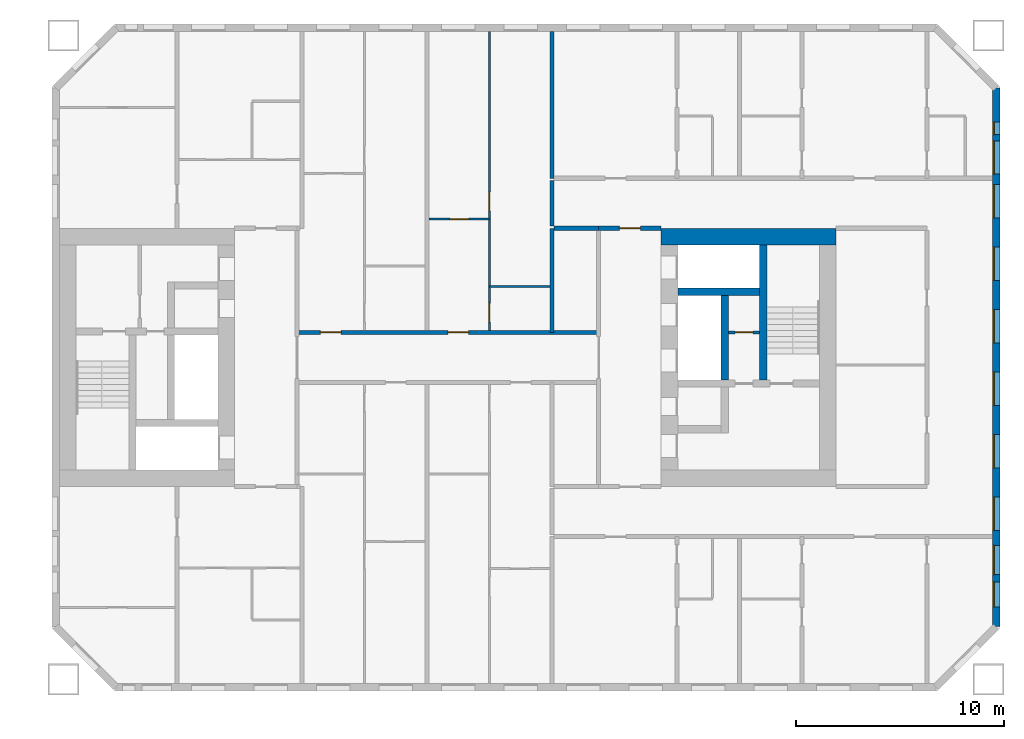
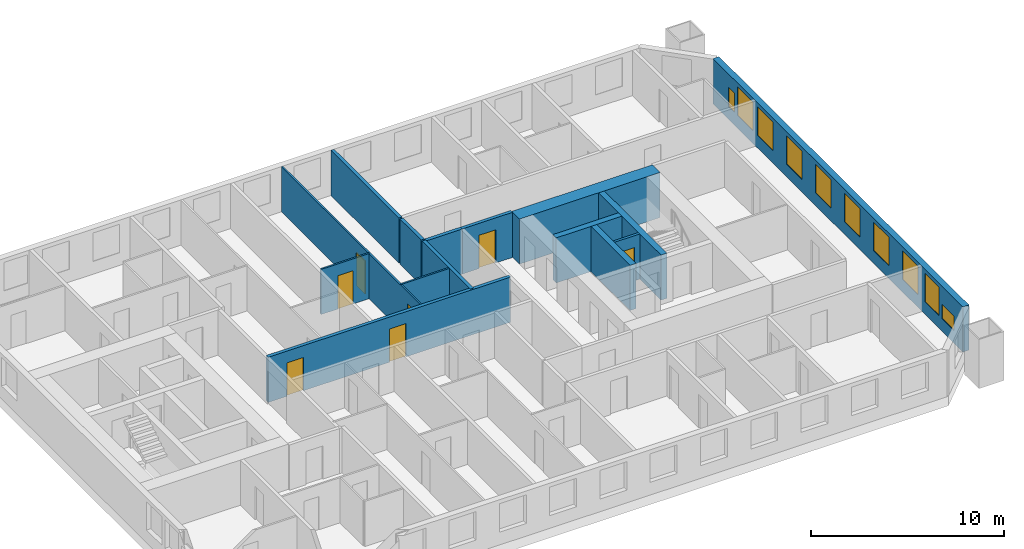
# One storey, part 13 of 17: 15 walls, 10 windows, 7 doors, 17 openings.
"""IFC4 building model written with IfcOpenShell, lengths in metres."""

from ifc_helpers import new_model, si_unit, direction, frame, frame_2d, origin, place, context, subcontext, project, spatial, rectangle, extrude, material, layer, layer_set, type_object, element, fill, save


model = new_model("IFC4")

# Units and contexts
model_context = context("Model", 3, precision=1e-05, world=origin(), true_north=direction((0.0, 1.0)))
body_context = subcontext(model_context, "Body", "Model", "MODEL_VIEW")
ifc_project = project(units=[si_unit("LENGTHUNIT", "METRE"), si_unit("AREAUNIT", "SQUARE_METRE"), si_unit("VOLUMEUNIT", "CUBIC_METRE"), si_unit("PLANEANGLEUNIT", "RADIAN"), si_unit("MASSUNIT", "GRAM", prefix="KILO")], contexts=[model_context])

# Site, building, storey
site_placement = place(None, origin())
site = spatial("IfcSite", under=ifc_project, at=site_placement, CompositionType="ELEMENT")
building_placement = place(site_placement, origin())
building = spatial("IfcBuilding", under=site, at=building_placement, Name="Tuart Gate Housing", CompositionType="ELEMENT")
storey_placement = place(building_placement, frame((0.0, 0.0, 44.300048828125)))
storey = spatial("IfcBuildingStorey", under=building, at=storey_placement, Name="L11", CompositionType="ELEMENT", Elevation=44.300048828125)

# Wall, openings, windows
ifc_material_1 = material(Name="Brick", Category="masonry")
ifc_layer_1 = layer(ifc_material_1, 0.360107421875)
ifc_layer_set_1 = layer_set([ifc_layer_1], Name="Brick pier and spandrel wall 360")
wall_type_1 = type_object("IfcWallType", Name="Brick pier and spandrel wall 360", PredefinedType="STANDARD", material=ifc_layer_set_1)
wall_1_placement = place(storey_placement, frame((176.320068359375, 57.07470703125, 0.0), z_axis=(0.0, 0.0, 1.0), x_axis=(0.0, 1.0, 0.0)))
wall_1 = element("IfcWall", 1, at=wall_1_placement, inside=storey, type_object=wall_type_1, Name="External wall B-E L11", PredefinedType="STANDARD", context=body_context, shape_type="SweptSolid", body=[
    extrude(rectangle(XDim=25.850830078125, YDim=0.360107421875, at=frame_2d((12.92529296875, 0.0))), origin(), (0.0, 0.0, 1.0), 2.849853515625),
])
opening_1_placement = place(wall_1_placement, frame((0.949951171875, 0.0, 0.800048828125)))
opening_1 = element("IfcOpeningElement", 2, at=opening_1_placement, cuts=wall_1, Name="Opening W1T", PredefinedType="OPENING", context=body_context, shape_type="SweptSolid", body=[
    extrude(rectangle(XDim=1.199951171875, YDim=0.89990234375, at=frame_2d((0.60009765625, 0.449951171875))), frame((0.0, 0.18994140625, 0.0), z_axis=(0.0, -1.0, 0.0), x_axis=(1.0, 0.0, 0.0)), (0.0, 0.0, 1.0), 0.380126953125),
])
opening_2_placement = place(wall_1_placement, frame((4.62548828125, 0.0, 0.800048828125)))
opening_2 = element("IfcOpeningElement", 3, at=opening_2_placement, cuts=wall_1, Name="Opening W1", PredefinedType="OPENING", context=body_context, shape_type="SweptSolid", body=[
    extrude(rectangle(XDim=1.60009765625, YDim=1.800048828125, at=frame_2d((0.800048828125, 0.89990234375))), frame((0.0, 0.18994140625, 0.0), z_axis=(0.0, -1.0, 0.0), x_axis=(1.0, 0.0, 0.0)), (0.0, 0.0, 1.0), 0.380126953125),
])
opening_3_placement = place(wall_1_placement, frame((7.62548828125, 0.0, 0.800048828125)))
opening_3 = element("IfcOpeningElement", 4, at=opening_3_placement, cuts=wall_1, Name="Opening W1", PredefinedType="OPENING", context=body_context, shape_type="SweptSolid", body=[
    extrude(rectangle(XDim=1.60009765625, YDim=1.800048828125, at=frame_2d((0.800048828125, 0.89990234375))), frame((0.0, 0.18994140625, 0.0), z_axis=(0.0, -1.0, 0.0), x_axis=(1.0, 0.0, 0.0)), (0.0, 0.0, 1.0), 0.380126953125),
])
opening_4_placement = place(wall_1_placement, frame((10.62548828125, 0.0, 0.800048828125)))
opening_4 = element("IfcOpeningElement", 5, at=opening_4_placement, cuts=wall_1, Name="Opening W1", PredefinedType="OPENING", context=body_context, shape_type="SweptSolid", body=[
    extrude(rectangle(XDim=1.60009765625, YDim=1.800048828125, at=frame_2d((0.800048828125, 0.89990234375))), frame((0.0, 0.18994140625, 0.0), z_axis=(0.0, -1.0, 0.0), x_axis=(1.0, 0.0, 0.0)), (0.0, 0.0, 1.0), 0.380126953125),
])
opening_5_placement = place(wall_1_placement, frame((13.62548828125, 0.0, 0.800048828125)))
opening_5 = element("IfcOpeningElement", 6, at=opening_5_placement, cuts=wall_1, Name="Opening W1", PredefinedType="OPENING", context=body_context, shape_type="SweptSolid", body=[
    extrude(rectangle(XDim=1.60009765625, YDim=1.800048828125, at=frame_2d((0.800048828125, 0.89990234375))), frame((0.0, 0.18994140625, 0.0), z_axis=(0.0, -1.0, 0.0), x_axis=(1.0, 0.0, 0.0)), (0.0, 0.0, 1.0), 0.380126953125),
])
opening_6_placement = place(wall_1_placement, frame((16.62548828125, 0.0, 0.800048828125)))
opening_6 = element("IfcOpeningElement", 7, at=opening_6_placement, cuts=wall_1, Name="Opening W1", PredefinedType="OPENING", context=body_context, shape_type="SweptSolid", body=[
    extrude(rectangle(XDim=1.60009765625, YDim=1.800048828125, at=frame_2d((0.800048828125, 0.89990234375))), frame((0.0, 0.18994140625, 0.0), z_axis=(0.0, -1.0, 0.0), x_axis=(1.0, 0.0, 0.0)), (0.0, 0.0, 1.0), 0.380126953125),
])
opening_7_placement = place(wall_1_placement, frame((19.62548828125, 0.0, 0.800048828125)))
opening_7 = element("IfcOpeningElement", 8, at=opening_7_placement, cuts=wall_1, Name="Opening W1", PredefinedType="OPENING", context=body_context, shape_type="SweptSolid", body=[
    extrude(rectangle(XDim=1.60009765625, YDim=1.800048828125, at=frame_2d((0.800048828125, 0.89990234375))), frame((0.0, 0.18994140625, 0.0), z_axis=(0.0, -1.0, 0.0), x_axis=(1.0, 0.0, 0.0)), (0.0, 0.0, 1.0), 0.380126953125),
])
opening_8_placement = place(wall_1_placement, frame((21.725341796875, 0.0, 0.800048828125)))
opening_8 = element("IfcOpeningElement", 9, at=opening_8_placement, cuts=wall_1, Name="Opening W1", PredefinedType="OPENING", context=body_context, shape_type="SweptSolid", body=[
    extrude(rectangle(XDim=1.60009765625, YDim=1.800048828125, at=frame_2d((0.800048828125, 0.89990234375))), frame((0.0, 0.18994140625, 0.0), z_axis=(0.0, -1.0, 0.0), x_axis=(1.0, 0.0, 0.0)), (0.0, 0.0, 1.0), 0.380126953125),
])
opening_9_placement = place(wall_1_placement, frame((2.5, 0.0, 0.800048828125)))
opening_9 = element("IfcOpeningElement", 10, at=opening_9_placement, cuts=wall_1, Name="Opening W1A", PredefinedType="OPENING", context=body_context, shape_type="SweptSolid", body=[
    extrude(rectangle(XDim=1.39990234375, YDim=1.800048828125, at=frame_2d((0.699951171875, 0.89990234375))), frame((0.0, 0.18994140625, 0.0), z_axis=(0.0, -1.0, 0.0), x_axis=(1.0, 0.0, 0.0)), (0.0, 0.0, 1.0), 0.380126953125),
])
opening_10_placement = place(wall_1_placement, frame((23.62548828125, 0.0, 0.800048828125)))
opening_10 = element("IfcOpeningElement", 11, at=opening_10_placement, cuts=wall_1, Name="Opening W1Q", PredefinedType="OPENING", context=body_context, shape_type="SweptSolid", body=[
    extrude(rectangle(XDim=0.60009765625, YDim=1.199951171875, at=frame_2d((0.300048828125, 0.60009765625))), frame((0.0, 0.18994140625, 0.0), z_axis=(0.0, -1.0, 0.0), x_axis=(1.0, 0.0, 0.0)), (0.0, 0.0, 1.0), 0.380126953125),
])
ifc_material_2 = material(Name="Aluminium frame with clear glass", Category="aluminium")
window_type_1 = type_object("IfcWindowType", Name="Punched window 1200 x 900", PartitioningType="SINGLE_PANEL", PredefinedType="WINDOW", material=ifc_material_2)
window_1_placement = place(opening_1_placement, origin())
window_1 = element("IfcWindow", 12, at=window_1_placement, inside=storey, type_object=window_type_1, Name="Window W1T", OverallHeight=0.89990234375, OverallWidth=1.199951171875, PartitioningType="SINGLE_PANEL", PredefinedType="WINDOW", context=body_context, shape_type="SweptSolid", body=[
    extrude(rectangle(XDim=1.199951171875, YDim=0.89990234375, at=frame_2d((0.60009765625, 0.449951171875))), frame((0.0, 0.150146484375, 0.0), z_axis=(0.0, -1.0, 0.0), x_axis=(1.0, 0.0, 0.0)), (0.0, 0.0, 1.0), 0.06005859375),
])
fill(opening_1, window_1)
ifc_material_3 = material(Name="Aluminium frame with clear glass", Category="aluminium")
window_type_2 = type_object("IfcWindowType", Name="Punched window 1400 x 1800", PartitioningType="SINGLE_PANEL", PredefinedType="WINDOW", material=ifc_material_3)
window_2_placement = place(opening_9_placement, origin())
window_2 = element("IfcWindow", 13, at=window_2_placement, inside=storey, type_object=window_type_2, Name="Window W1A", OverallHeight=1.800048828125, OverallWidth=1.39990234375, PartitioningType="SINGLE_PANEL", PredefinedType="WINDOW", context=body_context, shape_type="SweptSolid", body=[
    extrude(rectangle(XDim=1.39990234375, YDim=1.800048828125, at=frame_2d((0.699951171875, 0.89990234375))), frame((0.0, 0.150146484375, 0.0), z_axis=(0.0, -1.0, 0.0), x_axis=(1.0, 0.0, 0.0)), (0.0, 0.0, 1.0), 0.06005859375),
])
fill(opening_9, window_2)
ifc_material_4 = material(Name="Aluminium frame with clear glass", Category="aluminium")
window_type_3 = type_object("IfcWindowType", Name="Punched window 1600 x 1800", PartitioningType="SINGLE_PANEL", PredefinedType="WINDOW", material=ifc_material_4)
window_3_placement = place(opening_2_placement, origin())
window_3 = element("IfcWindow", 14, at=window_3_placement, inside=storey, type_object=window_type_3, Name="Window W1", OverallHeight=1.800048828125, OverallWidth=1.60009765625, PartitioningType="SINGLE_PANEL", PredefinedType="WINDOW", context=body_context, shape_type="SweptSolid", body=[
    extrude(rectangle(XDim=1.60009765625, YDim=1.800048828125, at=frame_2d((0.800048828125, 0.89990234375))), frame((0.0, 0.150146484375, 0.0), z_axis=(0.0, -1.0, 0.0), x_axis=(1.0, 0.0, 0.0)), (0.0, 0.0, 1.0), 0.06005859375),
])
fill(opening_2, window_3)
window_4_placement = place(opening_3_placement, origin())
window_4 = element("IfcWindow", 15, at=window_4_placement, inside=storey, type_object=window_type_3, Name="Window W1", OverallHeight=1.800048828125, OverallWidth=1.60009765625, PartitioningType="SINGLE_PANEL", PredefinedType="WINDOW", context=body_context, shape_type="SweptSolid", body=[
    extrude(rectangle(XDim=1.60009765625, YDim=1.800048828125, at=frame_2d((0.800048828125, 0.89990234375))), frame((0.0, 0.150146484375, 0.0), z_axis=(0.0, -1.0, 0.0), x_axis=(1.0, 0.0, 0.0)), (0.0, 0.0, 1.0), 0.06005859375),
])
fill(opening_3, window_4)
window_5_placement = place(opening_4_placement, origin())
window_5 = element("IfcWindow", 16, at=window_5_placement, inside=storey, type_object=window_type_3, Name="Window W1", OverallHeight=1.800048828125, OverallWidth=1.60009765625, PartitioningType="SINGLE_PANEL", PredefinedType="WINDOW", context=body_context, shape_type="SweptSolid", body=[
    extrude(rectangle(XDim=1.60009765625, YDim=1.800048828125, at=frame_2d((0.800048828125, 0.89990234375))), frame((0.0, 0.150146484375, 0.0), z_axis=(0.0, -1.0, 0.0), x_axis=(1.0, 0.0, 0.0)), (0.0, 0.0, 1.0), 0.06005859375),
])
fill(opening_4, window_5)
window_6_placement = place(opening_5_placement, origin())
window_6 = element("IfcWindow", 17, at=window_6_placement, inside=storey, type_object=window_type_3, Name="Window W1", OverallHeight=1.800048828125, OverallWidth=1.60009765625, PartitioningType="SINGLE_PANEL", PredefinedType="WINDOW", context=body_context, shape_type="SweptSolid", body=[
    extrude(rectangle(XDim=1.60009765625, YDim=1.800048828125, at=frame_2d((0.800048828125, 0.89990234375))), frame((0.0, 0.150146484375, 0.0), z_axis=(0.0, -1.0, 0.0), x_axis=(1.0, 0.0, 0.0)), (0.0, 0.0, 1.0), 0.06005859375),
])
fill(opening_5, window_6)
window_7_placement = place(opening_6_placement, origin())
window_7 = element("IfcWindow", 18, at=window_7_placement, inside=storey, type_object=window_type_3, Name="Window W1", OverallHeight=1.800048828125, OverallWidth=1.60009765625, PartitioningType="SINGLE_PANEL", PredefinedType="WINDOW", context=body_context, shape_type="SweptSolid", body=[
    extrude(rectangle(XDim=1.60009765625, YDim=1.800048828125, at=frame_2d((0.800048828125, 0.89990234375))), frame((0.0, 0.150146484375, 0.0), z_axis=(0.0, -1.0, 0.0), x_axis=(1.0, 0.0, 0.0)), (0.0, 0.0, 1.0), 0.06005859375),
])
fill(opening_6, window_7)
window_8_placement = place(opening_7_placement, origin())
window_8 = element("IfcWindow", 19, at=window_8_placement, inside=storey, type_object=window_type_3, Name="Window W1", OverallHeight=1.800048828125, OverallWidth=1.60009765625, PartitioningType="SINGLE_PANEL", PredefinedType="WINDOW", context=body_context, shape_type="SweptSolid", body=[
    extrude(rectangle(XDim=1.60009765625, YDim=1.800048828125, at=frame_2d((0.800048828125, 0.89990234375))), frame((0.0, 0.150146484375, 0.0), z_axis=(0.0, -1.0, 0.0), x_axis=(1.0, 0.0, 0.0)), (0.0, 0.0, 1.0), 0.06005859375),
])
fill(opening_7, window_8)
window_9_placement = place(opening_8_placement, origin())
window_9 = element("IfcWindow", 20, at=window_9_placement, inside=storey, type_object=window_type_3, Name="Window W1", OverallHeight=1.800048828125, OverallWidth=1.60009765625, PartitioningType="SINGLE_PANEL", PredefinedType="WINDOW", context=body_context, shape_type="SweptSolid", body=[
    extrude(rectangle(XDim=1.60009765625, YDim=1.800048828125, at=frame_2d((0.800048828125, 0.89990234375))), frame((0.0, 0.150146484375, 0.0), z_axis=(0.0, -1.0, 0.0), x_axis=(1.0, 0.0, 0.0)), (0.0, 0.0, 1.0), 0.06005859375),
])
fill(opening_8, window_9)
ifc_material_5 = material(Name="Aluminium frame with clear glass", Category="aluminium")
window_type_4 = type_object("IfcWindowType", Name="Punched window 600 x 1200", PartitioningType="SINGLE_PANEL", PredefinedType="WINDOW", material=ifc_material_5)
window_10_placement = place(opening_10_placement, origin())
window_10 = element("IfcWindow", 21, at=window_10_placement, inside=storey, type_object=window_type_4, Name="Window W1Q", OverallHeight=1.199951171875, OverallWidth=0.60009765625, PartitioningType="SINGLE_PANEL", PredefinedType="WINDOW", context=body_context, shape_type="SweptSolid", body=[
    extrude(rectangle(XDim=0.60009765625, YDim=1.199951171875, at=frame_2d((0.300048828125, 0.60009765625))), frame((0.0, 0.150146484375, 0.0), z_axis=(0.0, -1.0, 0.0), x_axis=(1.0, 0.0, 0.0)), (0.0, 0.0, 1.0), 0.06005859375),
])
fill(opening_10, window_10)

# Wall, opening, door
ifc_material_6 = material(Name="Plasterboard partition")
ifc_layer_2 = layer(ifc_material_6, 0.14990234375)
ifc_layer_set_2 = layer_set([ifc_layer_2], Name="Core partition 150")
wall_type_2 = type_object("IfcWallType", Name="Core partition 150", PredefinedType="PARTITIONING", material=ifc_layer_set_2)
wall_2_placement = place(storey_placement, frame((163.465087890625, 71.199951171875, 0.0), z_axis=(0.0, 0.0, 1.0), x_axis=(1.0, 0.0, 0.0)))
wall_2 = element("IfcWall", 22, at=wall_2_placement, inside=storey, type_object=wall_type_2, Name="Core partition BK.2", PredefinedType="PARTITIONING", context=body_context, shape_type="SweptSolid", body=[
    extrude(rectangle(XDim=1.5, YDim=0.14990234375, at=frame_2d((0.75, 0.0))), origin(), (0.0, 0.0, 1.0), 2.849853515625),
])
opening_11_placement = place(wall_2_placement, frame((0.324951171875, 0.0, 0.0)))
opening_11 = element("IfcOpeningElement", 23, at=opening_11_placement, cuts=wall_2, Name="Opening D681", PredefinedType="OPENING", context=body_context, shape_type="SweptSolid", body=[
    extrude(rectangle(XDim=0.85009765625, YDim=2.10009765625, at=frame_2d((0.425048828125, 1.050048828125))), frame((0.0, 0.0849609375, 0.0), z_axis=(0.0, -1.0, 0.0), x_axis=(1.0, 0.0, 0.0)), (0.0, 0.0, 1.0), 0.169921875),
])
ifc_material_7 = material(Name="Steel fire door", Category="steel")
door_type_1 = type_object("IfcDoorType", Name="Service door 850 x 2100 RH", OperationType="SINGLE_SWING_RIGHT", PredefinedType="DOOR", material=ifc_material_7)
door_1_placement = place(opening_11_placement, frame((0.85009765625, 0.0, 0.0), z_axis=(0.0, 0.0, 1.0), x_axis=(-1.0, 0.0, 0.0)))
door_1 = element("IfcDoor", 24, at=door_1_placement, inside=storey, type_object=door_type_1, Name="Service room door BK.W2", OperationType="SINGLE_SWING_RIGHT", OverallHeight=2.10009765625, OverallWidth=0.85009765625, PredefinedType="DOOR", context=body_context, shape_type="SweptSolid", body=[
    extrude(rectangle(XDim=0.85009765625, YDim=2.10009765625, at=frame_2d((0.425048828125, 1.050048828125))), frame((0.0, 0.025146484375, 0.0), z_axis=(0.0, -1.0, 0.0), x_axis=(1.0, 0.0, 0.0)), (0.0, 0.0, 1.0), 0.050048828125),
])
fill(opening_11, door_1)

# Walls
ifc_material_8 = material(Name="Concrete C60", Category="concrete")
ifc_layer_3 = layer(ifc_material_8, 0.35009765625)
ifc_layer_set_3 = layer_set([ifc_layer_3], Name="Core wall 350 C60")
wall_type_3 = type_object("IfcWallType", Name="Core wall 350 C60", PredefinedType="SHEAR", material=ifc_layer_set_3)
wall_3_placement = place(storey_placement, frame((161.0400390625, 73.14990234375, 0.0), z_axis=(0.0, 0.0, 1.0), x_axis=(1.0, 0.0, 0.0)))
element("IfcWall", 25, at=wall_3_placement, inside=storey, type_object=wall_type_3, Name="Core wall BK.1", PredefinedType="SHEAR", context=body_context, shape_type="SweptSolid", body=[
    extrude(rectangle(XDim=3.925048828125, YDim=0.35009765625, at=frame_2d((1.96240234375, 0.0))), origin(), (0.0, 0.0, 1.0), 2.849853515625),
])
wall_4_placement = place(storey_placement, frame((163.2900390625, 72.97509765625, 0.0), z_axis=(0.0, 0.0, 1.0), x_axis=(0.0, -1.0, 0.0)))
element("IfcWall", 26, at=wall_4_placement, inside=storey, type_object=wall_type_3, Name="Core wall BK.5", PredefinedType="SHEAR", context=body_context, shape_type="SweptSolid", body=[
    extrude(rectangle(XDim=4.050048828125, YDim=0.35009765625, at=frame_2d((2.02490234375, 0.0))), origin(), (0.0, 0.0, 1.0), 2.849853515625),
])
wall_5_placement = place(storey_placement, frame((165.139892578125, 75.39990234375, 0.0), z_axis=(0.0, 0.0, 1.0), x_axis=(0.0, -1.0, 0.0)))
element("IfcWall", 27, at=wall_5_placement, inside=storey, type_object=wall_type_3, Name="Core wall BK.7", PredefinedType="SHEAR", context=body_context, shape_type="SweptSolid", body=[
    extrude(rectangle(XDim=6.474853515625, YDim=0.35009765625, at=frame_2d((3.2373046875, 0.0))), origin(), (0.0, 0.0, 1.0), 2.849853515625),
])
ifc_material_9 = material(Name="Concrete C60", Category="concrete")
ifc_layer_4 = layer(ifc_material_9, 0.800048828125)
ifc_layer_set_4 = layer_set([ifc_layer_4], Name="Core wall 800 C60")
wall_type_4 = type_object("IfcWallType", Name="Core wall 800 C60", PredefinedType="SHEAR", material=ifc_layer_set_4)
wall_6_placement = place(storey_placement, frame((160.239990234375, 75.800048828125, 0.0), z_axis=(0.0, 0.0, 1.0), x_axis=(1.0, 0.0, 0.0)))
element("IfcWall", 28, at=wall_6_placement, inside=storey, type_object=wall_type_4, Name="Core wall BK south", PredefinedType="SHEAR", context=body_context, shape_type="SweptSolid", body=[
    extrude(rectangle(XDim=8.39990234375, YDim=0.800048828125, at=frame_2d((4.199951171875, 0.0))), origin(), (0.0, 0.0, 1.0), 2.849853515625),
])

# Wall, openings, doors
ifc_material_10 = material(Name="Concrete masonry 15 MPa", Category="masonry")
ifc_layer_5 = layer(ifc_material_10, 0.199951171875)
ifc_layer_set_5 = layer_set([ifc_layer_5], Name="Corridor wall masonry 200")
wall_type_5 = type_object("IfcWallType", Name="Corridor wall masonry 200", PredefinedType="PARTITIONING", material=ifc_layer_set_5)
wall_7_placement = place(storey_placement, frame((142.760009765625, 71.199951171875, 0.0), z_axis=(0.0, 0.0, 1.0), x_axis=(1.0, 0.0, 0.0)))
wall_7 = element("IfcWall", 29, at=wall_7_placement, inside=storey, type_object=wall_type_5, Name="Corridor wall masonry 200", PredefinedType="PARTITIONING", context=body_context, shape_type="SweptSolid", body=[
    extrude(rectangle(XDim=14.47998046875, YDim=0.199951171875, at=frame_2d((7.239990234375, 0.0))), origin(), (0.0, 0.0, 1.0), 2.849853515625),
])
opening_12_placement = place(wall_7_placement, frame((1.1201171875, 0.0, 0.0)))
opening_12 = element("IfcOpeningElement", 30, at=opening_12_placement, cuts=wall_7, Name="Opening D679", PredefinedType="OPENING", context=body_context, shape_type="SweptSolid", body=[
    extrude(rectangle(XDim=1.0, YDim=2.10009765625, at=frame_2d((0.5, 1.050048828125))), frame((0.0, 0.10986328125, 0.0), z_axis=(0.0, -1.0, 0.0), x_axis=(1.0, 0.0, 0.0)), (0.0, 0.0, 1.0), 0.219970703125),
])
opening_13_placement = place(wall_7_placement, frame((7.239990234375, 0.0, 0.0)))
opening_13 = element("IfcOpeningElement", 31, at=opening_13_placement, cuts=wall_7, Name="Opening D680", PredefinedType="OPENING", context=body_context, shape_type="SweptSolid", body=[
    extrude(rectangle(XDim=1.0, YDim=2.10009765625, at=frame_2d((0.5, 1.050048828125))), frame((0.0, 0.10986328125, 0.0), z_axis=(0.0, -1.0, 0.0), x_axis=(1.0, 0.0, 0.0)), (0.0, 0.0, 1.0), 0.219970703125),
])
ifc_material_11 = material(Name="Timber door leaf in steel frame", Category="steel")
door_type_2 = type_object("IfcDoorType", Name="Flat entrance door 1000", OperationType="SINGLE_SWING_LEFT", PredefinedType="DOOR", material=ifc_material_11)
door_2_placement = place(opening_12_placement, origin())
door_2 = element("IfcDoor", 32, at=door_2_placement, inside=storey, type_object=door_type_2, Name="Flat entrance door", OperationType="SINGLE_SWING_LEFT", OverallHeight=2.10009765625, OverallWidth=1.0, PredefinedType="DOOR", context=body_context, shape_type="SweptSolid", body=[
    extrude(rectangle(XDim=1.0, YDim=2.10009765625, at=frame_2d((0.5, 1.050048828125))), frame((0.0, 0.02490234375, 0.0), z_axis=(0.0, -1.0, 0.0), x_axis=(1.0, 0.0, 0.0)), (0.0, 0.0, 1.0), 0.050048828125),
])
fill(opening_12, door_2)
door_3_placement = place(opening_13_placement, origin())
door_3 = element("IfcDoor", 33, at=door_3_placement, inside=storey, type_object=door_type_2, Name="Flat entrance door", OperationType="SINGLE_SWING_LEFT", OverallHeight=2.10009765625, OverallWidth=1.0, PredefinedType="DOOR", context=body_context, shape_type="SweptSolid", body=[
    extrude(rectangle(XDim=1.0, YDim=2.10009765625, at=frame_2d((0.5, 1.050048828125))), frame((0.0, 0.02490234375, 0.0), z_axis=(0.0, -1.0, 0.0), x_axis=(1.0, 0.0, 0.0)), (0.0, 0.0, 1.0), 0.050048828125),
])
fill(opening_13, door_3)

# Walls
wall_8_placement = place(storey_placement, frame((155.10009765625, 76.199951171875, 0.0), z_axis=(0.0, 0.0, 1.0), x_axis=(1.0, 0.0, 0.0)))
element("IfcWall", 34, at=wall_8_placement, inside=storey, type_object=wall_type_5, Name="Corridor wall masonry 200", PredefinedType="PARTITIONING", context=body_context, shape_type="SweptSolid", body=[
    extrude(rectangle(XDim=2.139892578125, YDim=0.199951171875, at=frame_2d((1.06982421875, 0.0))), origin(), (0.0, 0.0, 1.0), 2.849853515625),
])
wall_9_placement = place(storey_placement, frame((155.0, 76.300048828125, 0.0), z_axis=(0.0, 0.0, 1.0), x_axis=(0.0, 1.0, 0.0)))
element("IfcWall", 35, at=wall_9_placement, inside=storey, type_object=wall_type_5, Name="Corridor wall masonry 200", PredefinedType="PARTITIONING", context=body_context, shape_type="SweptSolid", body=[
    extrude(rectangle(XDim=2.199951171875, YDim=0.199951171875, at=frame_2d((1.10009765625, 0.0))), origin(), (0.0, 0.0, 1.0), 2.849853515625),
])

# Wall, opening, door
ifc_material_12 = material(Name="Concrete masonry 15 MPa", Category="masonry")
ifc_layer_6 = layer(ifc_material_12, 0.199951171875)
ifc_layer_set_6 = layer_set([ifc_layer_6], Name="Enclosure wall masonry 200")
wall_type_6 = type_object("IfcWallType", Name="Enclosure wall masonry 200", PredefinedType="PARTITIONING", material=ifc_layer_set_6)
wall_10_placement = place(storey_placement, frame((157.239990234375, 76.199951171875, 0.0), z_axis=(0.0, 0.0, 1.0), x_axis=(1.0, 0.0, 0.0)))
wall_10 = element("IfcWall", 36, at=wall_10_placement, inside=storey, type_object=wall_type_6, Name="Enclosure wall masonry 200", PredefinedType="PARTITIONING", context=body_context, shape_type="SweptSolid", body=[
    extrude(rectangle(XDim=3.0, YDim=0.199951171875, at=frame_2d((1.5, 0.0))), origin(), (0.0, 0.0, 1.0), 2.849853515625),
])
opening_14_placement = place(wall_10_placement, frame((1.0, 0.0, 0.0)))
opening_14 = element("IfcOpeningElement", 37, at=opening_14_placement, cuts=wall_10, Name="Opening D675", PredefinedType="OPENING", context=body_context, shape_type="SweptSolid", body=[
    extrude(rectangle(XDim=1.0, YDim=2.10009765625, at=frame_2d((0.5, 1.050048828125))), frame((0.0, 0.10986328125, 0.0), z_axis=(0.0, -1.0, 0.0), x_axis=(1.0, 0.0, 0.0)), (0.0, 0.0, 1.0), 0.219970703125),
])
ifc_material_13 = material(Name="Timber door leaf in steel frame", Category="steel")
door_type_3 = type_object("IfcDoorType", Name="Fire door 1000", OperationType="SINGLE_SWING_LEFT", PredefinedType="DOOR", material=ifc_material_13)
door_4_placement = place(opening_14_placement, origin())
door_4 = element("IfcDoor", 38, at=door_4_placement, inside=storey, type_object=door_type_3, Name="Fire door", OperationType="SINGLE_SWING_LEFT", OverallHeight=2.10009765625, OverallWidth=1.0, PredefinedType="DOOR", context=body_context, shape_type="SweptSolid", body=[
    extrude(rectangle(XDim=1.0, YDim=2.10009765625, at=frame_2d((0.5, 1.050048828125))), frame((0.0, 0.02490234375, 0.0), z_axis=(0.0, -1.0, 0.0), x_axis=(1.0, 0.0, 0.0)), (0.0, 0.0, 1.0), 0.050048828125),
])
fill(opening_14, door_4)

# Wall
ifc_material_14 = material(Name="Gypsum board on steel studs", Category="steel")
ifc_layer_7 = layer(ifc_material_14, 0.10009765625)
ifc_layer_set_7 = layer_set([ifc_layer_7], Name="Partition 100")
wall_type_7 = type_object("IfcWallType", Name="Partition 100", PredefinedType="PARTITIONING", material=ifc_layer_set_7)
wall_11_placement = place(storey_placement, frame((152.0, 73.39990234375, 0.0), z_axis=(0.0, 0.0, 1.0), x_axis=(1.0, 0.0, 0.0)))
element("IfcWall", 39, at=wall_11_placement, inside=storey, type_object=wall_type_7, Name="Partition 100", PredefinedType="PARTITIONING", context=body_context, shape_type="SweptSolid", body=[
    extrude(rectangle(XDim=2.89990234375, YDim=0.10009765625, at=frame_2d((1.449951171875, 0.0))), origin(), (0.0, 0.0, 1.0), 2.849853515625),
])

# Wall, opening, door
wall_12_placement = place(storey_placement, frame((149.10009765625, 76.639892578125, 0.0), z_axis=(0.0, 0.0, 1.0), x_axis=(1.0, 0.0, 0.0)))
wall_12 = element("IfcWall", 40, at=wall_12_placement, inside=storey, type_object=wall_type_7, Name="Partition 100", PredefinedType="PARTITIONING", context=body_context, shape_type="SweptSolid", body=[
    extrude(rectangle(XDim=2.89990234375, YDim=0.10009765625, at=frame_2d((1.449951171875, 0.0))), origin(), (0.0, 0.0, 1.0), 2.849853515625),
])
opening_15_placement = place(wall_12_placement, frame((1.0, 0.0, 0.0)))
opening_15 = element("IfcOpeningElement", 41, at=opening_15_placement, cuts=wall_12, Name="Opening D673", PredefinedType="OPENING", context=body_context, shape_type="SweptSolid", body=[
    extrude(rectangle(XDim=0.89990234375, YDim=2.10009765625, at=frame_2d((0.449951171875, 1.050048828125))), frame((0.0, 0.06005859375, 0.0), z_axis=(0.0, -1.0, 0.0), x_axis=(1.0, 0.0, 0.0)), (0.0, 0.0, 1.0), 0.1201171875),
])
ifc_material_15 = material(Name="Timber door leaf in steel frame", Category="steel")
door_type_4 = type_object("IfcDoorType", Name="Internal door 900", OperationType="SINGLE_SWING_LEFT", PredefinedType="DOOR", material=ifc_material_15)
door_5_placement = place(opening_15_placement, frame((0.89990234375, 0.0, 0.0), z_axis=(0.0, 0.0, 1.0), x_axis=(-1.0, 0.0, 0.0)))
door_5 = element("IfcDoor", 42, at=door_5_placement, inside=storey, type_object=door_type_4, Name="Internal door", OperationType="SINGLE_SWING_LEFT", OverallHeight=2.10009765625, OverallWidth=0.89990234375, PredefinedType="DOOR", context=body_context, shape_type="SweptSolid", body=[
    extrude(rectangle(XDim=0.89990234375, YDim=2.10009765625, at=frame_2d((0.449951171875, 1.050048828125))), frame((0.0, 0.025146484375, 0.0), z_axis=(0.0, -1.0, 0.0), x_axis=(1.0, 0.0, 0.0)), (0.0, 0.0, 1.0), 0.050048828125),
])
fill(opening_15, door_5)

# Wall, openings, doors
wall_13_placement = place(storey_placement, frame((152.0, 71.300048828125, 0.0), z_axis=(0.0, 0.0, 1.0), x_axis=(0.0, 1.0, 0.0)))
wall_13 = element("IfcWall", 43, at=wall_13_placement, inside=storey, type_object=wall_type_7, Name="Partition 100", PredefinedType="PARTITIONING", context=body_context, shape_type="SweptSolid", body=[
    extrude(rectangle(XDim=14.33984375, YDim=0.10009765625, at=frame_2d((7.169921875, 0.0))), origin(), (0.0, 0.0, 1.0), 2.849853515625),
])
opening_16_placement = place(wall_13_placement, frame((5.739990234375, 0.0, 0.0)))
opening_16 = element("IfcOpeningElement", 44, at=opening_16_placement, cuts=wall_13, Name="Opening D672", PredefinedType="OPENING", context=body_context, shape_type="SweptSolid", body=[
    extrude(rectangle(XDim=0.89990234375, YDim=2.10009765625, at=frame_2d((0.449951171875, 1.050048828125))), frame((0.0, 0.06005859375, 0.0), z_axis=(0.0, -1.0, 0.0), x_axis=(1.0, 0.0, 0.0)), (0.0, 0.0, 1.0), 0.1201171875),
])
opening_17_placement = place(wall_13_placement, frame((0.39990234375, 0.0, 0.0)))
opening_17 = element("IfcOpeningElement", 45, at=opening_17_placement, cuts=wall_13, Name="Opening D671", PredefinedType="OPENING", context=body_context, shape_type="SweptSolid", body=[
    extrude(rectangle(XDim=0.89990234375, YDim=2.10009765625, at=frame_2d((0.449951171875, 1.050048828125))), frame((0.0, 0.06005859375, 0.0), z_axis=(0.0, -1.0, 0.0), x_axis=(1.0, 0.0, 0.0)), (0.0, 0.0, 1.0), 0.1201171875),
])
ifc_material_16 = material(Name="Timber door leaf in steel frame", Category="steel")
door_type_5 = type_object("IfcDoorType", Name="Bathroom door 900 RH", OperationType="SINGLE_SWING_RIGHT", PredefinedType="DOOR", material=ifc_material_16)
door_6_placement = place(opening_17_placement, frame((0.89990234375, 0.0, 0.0), z_axis=(0.0, 0.0, 1.0), x_axis=(-1.0, 0.0, 0.0)))
door_6 = element("IfcDoor", 46, at=door_6_placement, inside=storey, type_object=door_type_5, Name="Bathroom door", OperationType="SINGLE_SWING_RIGHT", OverallHeight=2.10009765625, OverallWidth=0.89990234375, PredefinedType="DOOR", context=body_context, shape_type="SweptSolid", body=[
    extrude(rectangle(XDim=0.89990234375, YDim=2.10009765625, at=frame_2d((0.449951171875, 1.050048828125))), frame((0.0, 0.025146484375, 0.0), z_axis=(0.0, -1.0, 0.0), x_axis=(1.0, 0.0, 0.0)), (0.0, 0.0, 1.0), 0.050048828125),
])
fill(opening_17, door_6)
ifc_material_17 = material(Name="Timber door leaf in steel frame", Category="steel")
door_type_6 = type_object("IfcDoorType", Name="Internal door 900 RH", OperationType="SINGLE_SWING_RIGHT", PredefinedType="DOOR", material=ifc_material_17)
door_7_placement = place(opening_16_placement, frame((0.89990234375, 0.0, 0.0), z_axis=(0.0, 0.0, 1.0), x_axis=(-1.0, 0.0, 0.0)))
door_7 = element("IfcDoor", 47, at=door_7_placement, inside=storey, type_object=door_type_6, Name="Internal door", OperationType="SINGLE_SWING_RIGHT", OverallHeight=2.10009765625, OverallWidth=0.89990234375, PredefinedType="DOOR", context=body_context, shape_type="SweptSolid", body=[
    extrude(rectangle(XDim=0.89990234375, YDim=2.10009765625, at=frame_2d((0.449951171875, 1.050048828125))), frame((0.0, 0.025146484375, 0.0), z_axis=(0.0, -1.0, 0.0), x_axis=(1.0, 0.0, 0.0)), (0.0, 0.0, 1.0), 0.050048828125),
])
fill(opening_16, door_7)

# Walls
ifc_material_18 = material(Name="Concrete C40", Category="concrete")
ifc_layer_8 = layer(ifc_material_18, 0.199951171875)
ifc_layer_set_8 = layer_set([ifc_layer_8], Name="Party wall concrete C40 200")
wall_type_8 = type_object("IfcWallType", Name="Party wall concrete C40 200", PredefinedType="SOLIDWALL", material=ifc_layer_set_8)
wall_14_placement = place(storey_placement, frame((155.0, 71.199951171875, 0.0), z_axis=(0.0, 0.0, 1.0), x_axis=(0.0, 1.0, 0.0)))
element("IfcWall", 48, at=wall_14_placement, inside=storey, type_object=wall_type_8, Name="Party wall concrete C40 200", PredefinedType="SOLIDWALL", context=body_context, shape_type="SweptSolid", body=[
    extrude(rectangle(XDim=5.0, YDim=0.199951171875, at=frame_2d((2.5, 0.0))), origin(), (0.0, 0.0, 1.0), 2.849853515625),
])
wall_15_placement = place(storey_placement, frame((155.0, 78.60009765625, 0.0), z_axis=(0.0, 0.0, 1.0), x_axis=(0.0, 1.0, 0.0)))
element("IfcWall", 49, at=wall_15_placement, inside=storey, type_object=wall_type_8, Name="Party wall concrete C40 200", PredefinedType="SOLIDWALL", context=body_context, shape_type="SweptSolid", body=[
    extrude(rectangle(XDim=7.039794921875, YDim=0.199951171875, at=frame_2d((3.52001953125, 0.0))), origin(), (0.0, 0.0, 1.0), 2.849853515625),
])

save(model, "model.ifc")
